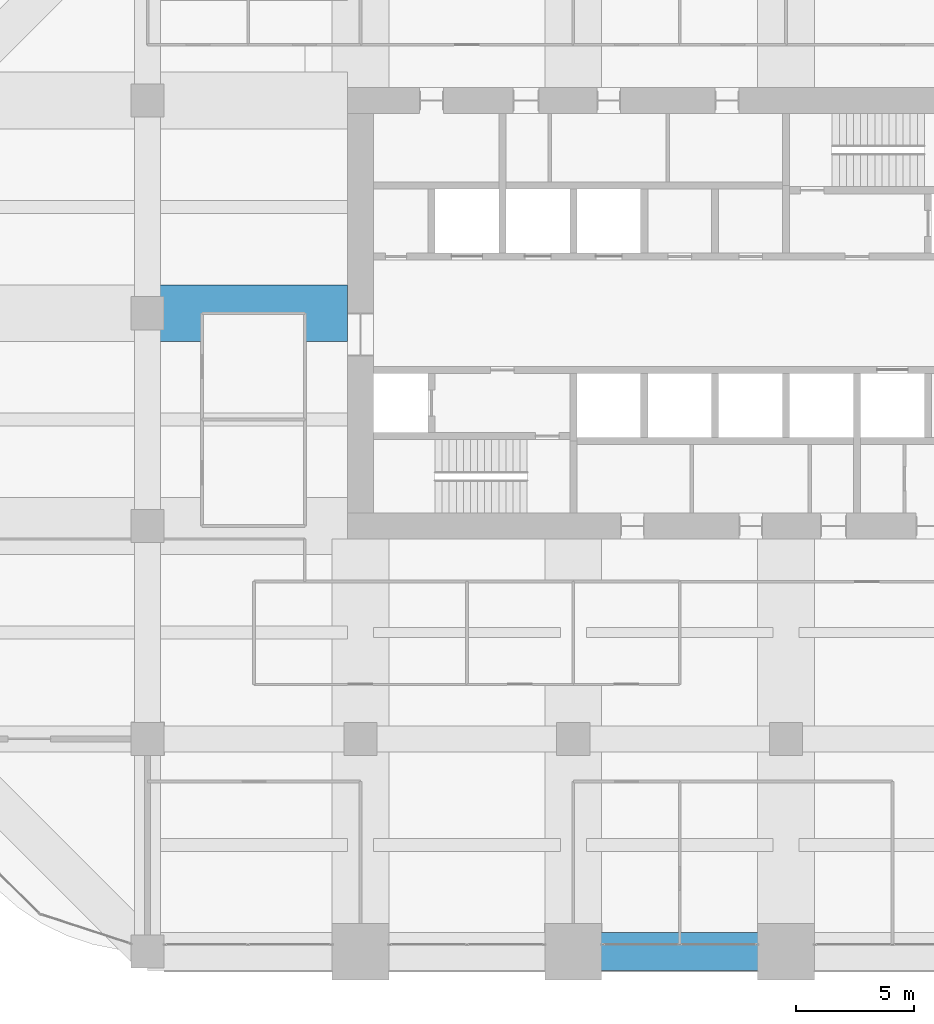
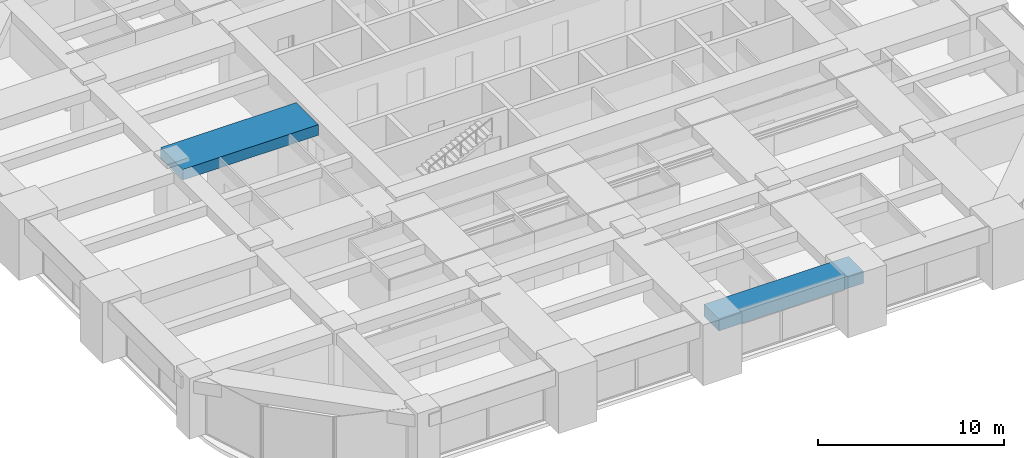
# One storey, part 12 of 34: 2 beams.
"""IFC4 building model written with IfcOpenShell, lengths in metres."""

from ifc_helpers import new_model, si_unit, direction, frame, origin, origin_2d, place, context, subcontext, project, spatial, rectangle, extrude, material, material_profile, profile_set, type_object, element, save


model = new_model("IFC4")

# Units and contexts
model_context = context("Model", 3, precision=1e-05, world=origin(), true_north=direction((0.0, 1.0)))
body_context = subcontext(model_context, "Body", "Model", "MODEL_VIEW")
ifc_project = project(units=[si_unit("LENGTHUNIT", "METRE"), si_unit("AREAUNIT", "SQUARE_METRE"), si_unit("VOLUMEUNIT", "CUBIC_METRE"), si_unit("PLANEANGLEUNIT", "RADIAN"), si_unit("MASSUNIT", "GRAM", prefix="KILO")], contexts=[model_context])

# Site, building, storey
site_placement = place(None, origin())
site = spatial("IfcSite", under=ifc_project, at=site_placement, CompositionType="ELEMENT")
building_placement = place(site_placement, origin())
building = spatial("IfcBuilding", under=site, at=building_placement, Name="Zorevar Civic Tower", CompositionType="ELEMENT")
storey_placement = place(building_placement, frame((0.0, 0.0, 226.199951171875)))
storey = spatial("IfcBuildingStorey", under=building, at=storey_placement, Name="L55", CompositionType="ELEMENT", Elevation=226.199951171875)

# Beams
ifc_material_1 = material(Name="Concrete C50/60", Category="concrete")
ifc_material_profile_1 = material_profile(ifc_material_1, rectangle(XDim=2.39990234375, YDim=0.699951171875, at=origin_2d()), Name="RC 2400x700")
ifc_profile_set_1 = profile_set([ifc_material_profile_1], Name="Concrete C50/60")
beam_type_1 = type_object("IfcBeamType", Name="Beam RC 2400x700", PredefinedType="BEAM", material=ifc_profile_set_1)
beam_1_placement = place(storey_placement, frame((9.0, 27.0, 3.400146484375), z_axis=(1.0, 0.0, 0.0), x_axis=(0.0, 1.0, 0.0)))
element("IfcBeam", 1, at=beam_1_placement, inside=storey, type_object=beam_type_1, Name="Girder L56", PredefinedType="BEAM", context=body_context, shape_type="SweptSolid", body=[
    extrude(rectangle(XDim=2.39990234375, YDim=0.699951171875, at=origin_2d()), origin(), (0.0, 0.0, 1.0), 8.449951171875),
])
ifc_material_2 = material(Name="Concrete C50/60", Category="concrete")
ifc_material_profile_2 = material_profile(ifc_material_2, rectangle(XDim=1.60009765625, YDim=0.800048828125, at=origin_2d()), Name="RC 1600x800")
ifc_profile_set_2 = profile_set([ifc_material_profile_2], Name="Concrete C50/60")
beam_type_2 = type_object("IfcBeamType", Name="Edge beam RC 1600x800", PredefinedType="SPANDREL", material=ifc_profile_set_2)
beam_2_placement = place(storey_placement, frame((27.0, 0.0, 3.35009765625), z_axis=(1.0, 0.0, 0.0), x_axis=(0.0, 1.0, 0.0)))
element("IfcBeam", 2, at=beam_2_placement, inside=storey, type_object=beam_type_2, Name="Edge beam L56", PredefinedType="SPANDREL", context=body_context, shape_type="SweptSolid", body=[
    extrude(rectangle(XDim=1.60009765625, YDim=0.800048828125, at=origin_2d()), origin(), (0.0, 0.0, 1.0), 9.0),
])

save(model, "model.ifc")
